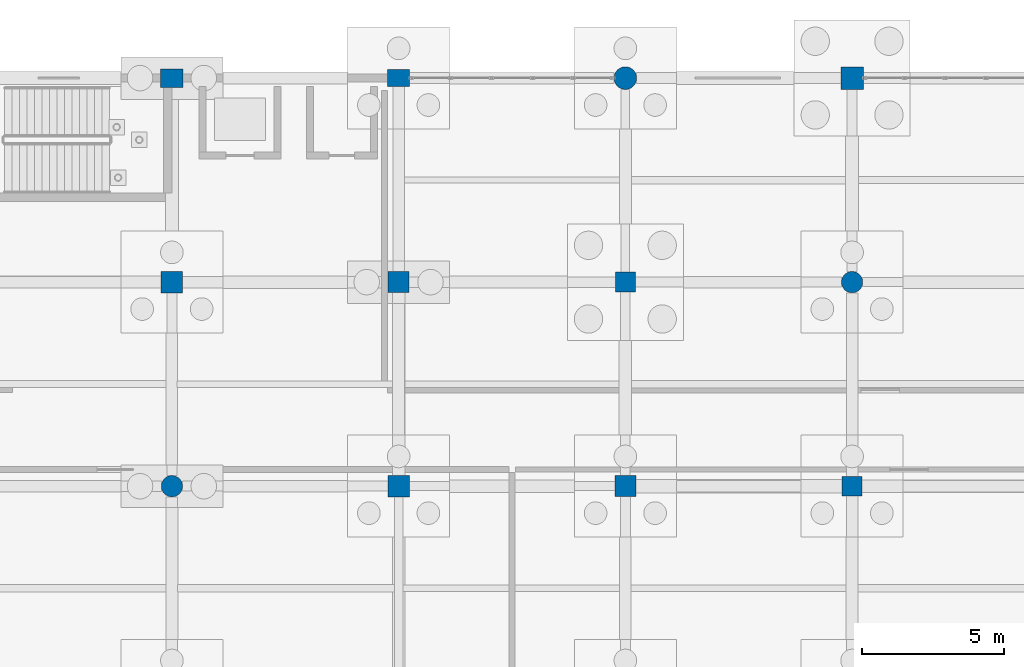
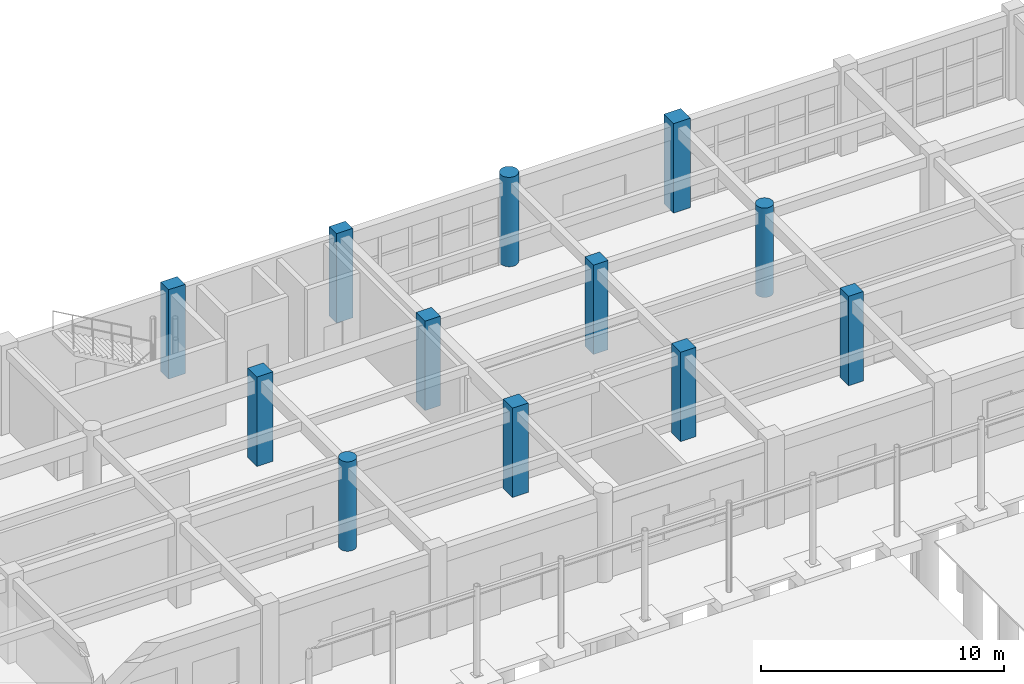
# One storey, part 36 of 166: 12 columns.
"""IFC4 building model written with IfcOpenShell, lengths in metres."""

from ifc_helpers import new_model, si_unit, direction, frame, origin, origin_2d, place, context, subcontext, project, spatial, rectangle, circle, extrude, material, material_profile, profile_set, type_object, element, save


model = new_model("IFC4")

# Units and contexts
model_context = context("Model", 3, precision=1e-05, world=origin(), true_north=direction((0.0, 1.0)))
body_context = subcontext(model_context, "Body", "Model", "MODEL_VIEW")
ifc_project = project(units=[si_unit("LENGTHUNIT", "METRE"), si_unit("AREAUNIT", "SQUARE_METRE"), si_unit("VOLUMEUNIT", "CUBIC_METRE"), si_unit("PLANEANGLEUNIT", "RADIAN"), si_unit("MASSUNIT", "GRAM", prefix="KILO")], contexts=[model_context])

# Site, building, storey
site_placement = place(None, origin())
site = spatial("IfcSite", under=ifc_project, at=site_placement, CompositionType="ELEMENT")
building_placement = place(site_placement, origin())
building = spatial("IfcBuilding", under=site, at=building_placement, Name="Kharva Crest Polytechnic", CompositionType="ELEMENT")
storey_placement = place(building_placement, origin())
storey = spatial("IfcBuildingStorey", under=building, at=storey_placement, Name="L00", CompositionType="ELEMENT", Elevation=0.0)

# Columns
ifc_material = material(Name="Concrete C40/50", Category="concrete")
ifc_material_profile_1 = material_profile(ifc_material, rectangle(XDim=0.780029296875, YDim=0.60009765625, at=origin_2d()), Name="RECT 780 X 600")
ifc_profile_set_1 = profile_set([ifc_material_profile_1], Name="Concrete C40/50")
column_type_1 = type_object("IfcColumnType", Name="COL-EXT-780X600", PredefinedType="COLUMN", material=ifc_profile_set_1)
column_1_placement = place(storey_placement, frame((72.0, 122.0, 0.0), z_axis=(0.0, 0.0, 1.0), x_axis=(1.0, 0.0, 0.0)))
element("IfcColumn", 1, at=column_1_placement, inside=storey, type_object=column_type_1, Name="L00 Column 10/S", PredefinedType="COLUMN", context=body_context, shape_type="SweptSolid", body=[
    extrude(rectangle(XDim=0.780029296875, YDim=0.60009765625, at=origin_2d()), origin(), (0.0, 0.0, 1.0), 4.5),
])
ifc_material_profile_2 = material_profile(ifc_material, rectangle(XDim=0.800048828125, YDim=0.64990234375, at=origin_2d()), Name="RECT 800 X 650")
ifc_profile_set_2 = profile_set([ifc_material_profile_2], Name="Concrete C40/50")
column_type_2 = type_object("IfcColumnType", Name="COL-EXT-800X650", PredefinedType="COLUMN", material=ifc_profile_set_2)
column_2_placement = place(storey_placement, frame((64.0, 122.0, 0.0), z_axis=(0.0, 0.0, 1.0), x_axis=(1.0, 0.0, 0.0)))
element("IfcColumn", 2, at=column_2_placement, inside=storey, type_object=column_type_2, Name="L00 Column 9/S", PredefinedType="COLUMN", context=body_context, shape_type="SweptSolid", body=[
    extrude(rectangle(XDim=0.800048828125, YDim=0.64990234375, at=origin_2d()), origin(), (0.0, 0.0, 1.0), 4.5),
])
ifc_material_profile_3 = material_profile(ifc_material, rectangle(XDim=0.800048828125, YDim=0.800048828125, at=origin_2d()), Name="RECT 800 X 800")
ifc_profile_set_3 = profile_set([ifc_material_profile_3], Name="Concrete C40/50")
column_type_3 = type_object("IfcColumnType", Name="COL-EXT-800X800", PredefinedType="COLUMN", material=ifc_profile_set_3)
column_3_placement = place(storey_placement, frame((88.0, 122.0, 0.0), z_axis=(0.0, 0.0, 1.0), x_axis=(1.0, 0.0, 0.0)))
element("IfcColumn", 3, at=column_3_placement, inside=storey, type_object=column_type_3, Name="L00 Column 12/S", PredefinedType="COLUMN", context=body_context, shape_type="SweptSolid", body=[
    extrude(rectangle(XDim=0.800048828125, YDim=0.800048828125, at=origin_2d()), origin(), (0.0, 0.0, 1.0), 4.5),
])
ifc_material_profile_4 = material_profile(ifc_material, circle(Radius=0.39990234375, at=origin_2d()), Name="DIA 800")
ifc_profile_set_4 = profile_set([ifc_material_profile_4], Name="Concrete C40/50")
column_type_4 = type_object("IfcColumnType", Name="COL-EXT-DIA800", PredefinedType="COLUMN", material=ifc_profile_set_4)
column_4_placement = place(storey_placement, frame((80.0, 122.0, 0.0), z_axis=(0.0, 0.0, 1.0), x_axis=(1.0, 0.0, 0.0)))
element("IfcColumn", 4, at=column_4_placement, inside=storey, type_object=column_type_4, Name="L00 Column 11/S", PredefinedType="COLUMN", context=body_context, shape_type="SweptSolid", body=[
    extrude(circle(Radius=0.39990234375, at=origin_2d()), origin(), (0.0, 0.0, 1.0), 4.5),
])
ifc_material_profile_5 = material_profile(ifc_material, rectangle(XDim=0.699951171875, YDim=0.699951171875, at=origin_2d()), Name="RECT 700 X 700")
ifc_profile_set_5 = profile_set([ifc_material_profile_5], Name="Concrete C40/50")
column_type_5 = type_object("IfcColumnType", Name="COL-INT-700X700", PredefinedType="COLUMN", material=ifc_profile_set_5)
for number, where, z_axis, x_axis, name in (
    (5, (80.0, 114.800048828125, 0.0), (0.0, 0.0, 1.0), (1.0, 0.0, 0.0), "L00 Column 11/R"),
    (6, (88.0, 107.60009765625, 0.0), (0.0, 0.0, 1.0), (1.0, 0.0, 0.0), "L00 Column 12/Q"),
):
    element("IfcColumn", number, at=place(storey_placement, frame(where, z_axis=z_axis, x_axis=x_axis)), inside=storey, type_object=column_type_5, Name=name, PredefinedType="COLUMN", context=body_context, shape_type="SweptSolid", body=[
        extrude(rectangle(XDim=0.699951171875, YDim=0.699951171875, at=origin_2d()), origin(), (0.0, 0.0, 1.0), 4.5),
    ])
ifc_material_profile_6 = material_profile(ifc_material, rectangle(XDim=0.739990234375, YDim=0.739990234375, at=origin_2d()), Name="RECT 740 X 740")
ifc_profile_set_6 = profile_set([ifc_material_profile_6], Name="Concrete C40/50")
column_type_6 = type_object("IfcColumnType", Name="COL-INT-740X740", PredefinedType="COLUMN", material=ifc_profile_set_6)
for number, where, z_axis, x_axis, name in (
    (7, (72.0, 114.800048828125, 0.0), (0.0, 0.0, 1.0), (1.0, 0.0, 0.0), "L00 Column 10/R"),
    (8, (80.0, 107.60009765625, 0.0), (0.0, 0.0, 1.0), (1.0, 0.0, 0.0), "L00 Column 11/Q"),
):
    element("IfcColumn", number, at=place(storey_placement, frame(where, z_axis=z_axis, x_axis=x_axis)), inside=storey, type_object=column_type_6, Name=name, PredefinedType="COLUMN", context=body_context, shape_type="SweptSolid", body=[
        extrude(rectangle(XDim=0.739990234375, YDim=0.739990234375, at=origin_2d()), origin(), (0.0, 0.0, 1.0), 4.5),
    ])
ifc_material_profile_7 = material_profile(ifc_material, rectangle(XDim=0.760009765625, YDim=0.760009765625, at=origin_2d()), Name="RECT 760 X 760")
ifc_profile_set_7 = profile_set([ifc_material_profile_7], Name="Concrete C40/50")
column_type_7 = type_object("IfcColumnType", Name="COL-INT-760X760", PredefinedType="COLUMN", material=ifc_profile_set_7)
for number, where, z_axis, x_axis, name in (
    (9, (72.0, 107.60009765625, 0.0), (0.0, 0.0, 1.0), (1.0, 0.0, 0.0), "L00 Column 10/Q"),
    (10, (64.0, 114.800048828125, 0.0), (0.0, 0.0, 1.0), (1.0, 0.0, 0.0), "L00 Column 9/R"),
):
    element("IfcColumn", number, at=place(storey_placement, frame(where, z_axis=z_axis, x_axis=x_axis)), inside=storey, type_object=column_type_7, Name=name, PredefinedType="COLUMN", context=body_context, shape_type="SweptSolid", body=[
        extrude(rectangle(XDim=0.760009765625, YDim=0.760009765625, at=origin_2d()), origin(), (0.0, 0.0, 1.0), 4.5),
    ])
ifc_material_profile_8 = material_profile(ifc_material, circle(Radius=0.375, at=origin_2d()), Name="DIA 750")
ifc_profile_set_8 = profile_set([ifc_material_profile_8], Name="Concrete C40/50")
column_type_8 = type_object("IfcColumnType", Name="COL-INT-DIA750", PredefinedType="COLUMN", material=ifc_profile_set_8)
for number, where, z_axis, x_axis, name in (
    (11, (88.0, 114.800048828125, 0.0), (0.0, 0.0, 1.0), (1.0, 0.0, 0.0), "L00 Column 12/R"),
    (12, (64.0, 107.60009765625, 0.0), (0.0, 0.0, 1.0), (1.0, 0.0, 0.0), "L00 Column 9/Q"),
):
    element("IfcColumn", number, at=place(storey_placement, frame(where, z_axis=z_axis, x_axis=x_axis)), inside=storey, type_object=column_type_8, Name=name, PredefinedType="COLUMN", context=body_context, shape_type="SweptSolid", body=[
        extrude(circle(Radius=0.375, at=origin_2d()), origin(), (0.0, 0.0, 1.0), 4.5),
    ])

save(model, "model.ifc")
